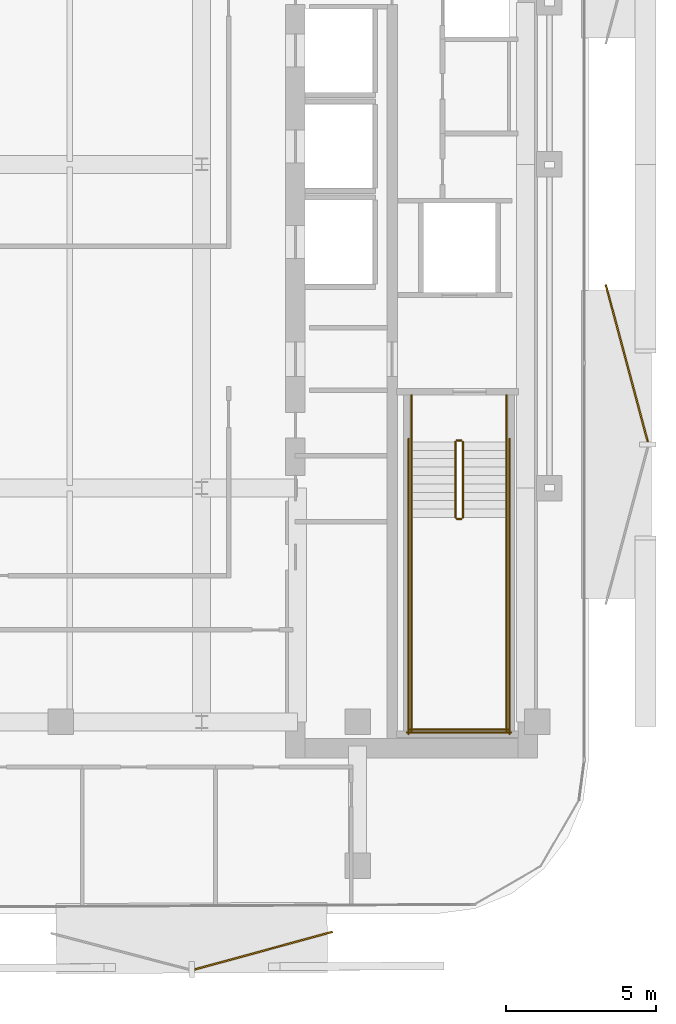
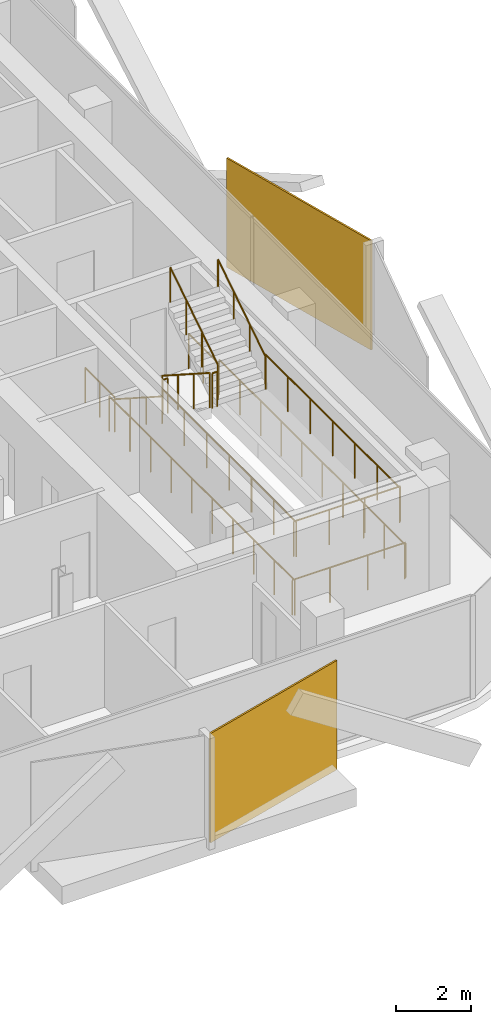
# One storey, part 13 of 14: 14 railings, 2 coverings.
"""IFC4 building model written with IfcOpenShell, lengths in metres."""

from ifc_helpers import new_model, si_unit, direction, frame, origin, origin_2d, place, context, subcontext, project, spatial, rectangle, circle, extrude, material, layer, layer_set, type_object, element, save


model = new_model("IFC4")

# Units and contexts
model_context = context("Model", 3, precision=1e-05, world=origin(), true_north=direction((0.0, 1.0)))
body_context = subcontext(model_context, "Body", "Model", "MODEL_VIEW")
ifc_project = project(units=[si_unit("LENGTHUNIT", "METRE"), si_unit("AREAUNIT", "SQUARE_METRE"), si_unit("VOLUMEUNIT", "CUBIC_METRE"), si_unit("PLANEANGLEUNIT", "RADIAN"), si_unit("MASSUNIT", "GRAM", prefix="KILO")], contexts=[model_context])

# Site, building, storey
site_placement = place(None, origin())
site = spatial("IfcSite", under=ifc_project, at=site_placement, CompositionType="ELEMENT")
building_placement = place(site_placement, origin())
building = spatial("IfcBuilding", under=site, at=building_placement, Name="Khairoan Windgate Tower", CompositionType="ELEMENT")
storey_placement = place(building_placement, frame((0.0, 0.0, 233.199951171875)))
storey = spatial("IfcBuildingStorey", under=building, at=storey_placement, Name="L54", CompositionType="ELEMENT", Elevation=233.199951171875)

# Coverings
ifc_material_1 = material(Name="Anodised Bronze Aluminium 6063-T6", Category="aluminium")
ifc_layer = layer(ifc_material_1, 0.054931640625, Name="Anodised Bronze Aluminium 6063-T6")
ifc_layer_set = layer_set([ifc_layer], Name="Anodised Bronze Aluminium 6063-T6")
covering_type = type_object("IfcCoveringType", Name="Perforated Bronze-Ceramic Folded Solar Screen Cladding BSC-1", PredefinedType="CLADDING", material=ifc_layer_set)
covering_1_placement = place(storey_placement, frame((11.264404296875, -26.226806640625, -0.099853515625), z_axis=(0.0, 0.0, 1.0), x_axis=(-0.964649468762, -0.263536339841, 0.0)))
element("IfcCovering", 1, at=covering_1_placement, inside=storey, type_object=covering_type, Name="L54 Folded Bronze Solar Screen Facet 361L", PredefinedType="CLADDING", context=body_context, shape_type="SweptSolid", body=[
    extrude(rectangle(XDim=4.76708984375, YDim=0.054931640625, at=origin_2d()), origin(), (0.0, 0.0, 1.0), 3.5400390625),
])
covering_2_placement = place(storey_placement, frame((23.378662109375, -6.6376953125, -0.099853515625), z_axis=(0.0, 0.0, 1.0), x_axis=(0.258819045103, -0.965925826289, 0.0)))
element("IfcCovering", 2, at=covering_2_placement, inside=storey, type_object=covering_type, Name="L54 Folded Bronze Solar Screen Facet 368L", PredefinedType="CLADDING", context=body_context, shape_type="SweptSolid", body=[
    extrude(rectangle(XDim=5.419921875, YDim=0.054931640625, at=origin_2d()), origin(), (0.0, 0.0, 1.0), 3.5400390625),
])

# Railings
ifc_material_2 = material(Name="Anodised Bronze Aluminium 6063-T6", Category="aluminium")
railing_type_1 = type_object("IfcRailingType", Name="Stair Wall Handrail SHR-900", PredefinedType="HANDRAIL", material=ifc_material_2)
railing_1_placement = place(storey_placement, frame((16.199951171875, -9.260009765625, 0.179931640625)))
element("IfcRailing", 3, at=railing_1_placement, inside=storey, type_object=railing_type_1, Name="L54 ST1 stair handrail 1", PredefinedType="HANDRAIL", context=body_context, shape_type="SweptSolid", body=[
    extrude(circle(Radius=0.02392578125, at=origin_2d()), frame((0.0, 0.0, 0.8759765625), z_axis=(0.0, -0.841162588446, 0.540782303519), x_axis=(1.0, 0.0, 0.0)), (0.0, 0.0, 1.0), 2.995849609375),
    extrude(circle(Radius=0.02099609375, at=origin_2d()), origin(), (0.0, 0.0, 1.0), 0.851806640625),
    extrude(circle(Radius=0.02099609375, at=origin_2d()), frame((0.0, -0.840087890625, 0.5400390625)), (0.0, 0.0, 1.0), 0.851806640625),
    extrude(circle(Radius=0.02099609375, at=origin_2d()), frame((0.0, -1.679931640625, 1.080078125)), (0.0, 0.0, 1.0), 0.851806640625),
    extrude(circle(Radius=0.02099609375, at=origin_2d()), frame((0.0, -2.52001953125, 1.6201171875)), (0.0, 0.0, 1.0), 0.851806640625),
])
railing_2_placement = place(storey_placement, frame((19.3701171875, -11.780029296875, 1.97998046875)))
element("IfcRailing", 4, at=railing_2_placement, inside=storey, type_object=railing_type_1, Name="L54 ST1 stair handrail 2", PredefinedType="HANDRAIL", context=body_context, shape_type="SweptSolid", body=[
    extrude(circle(Radius=0.02392578125, at=origin_2d()), frame((0.0, 0.0, 0.8759765625), z_axis=(0.0, 0.841162588446, 0.540782303519), x_axis=(-1.0, 0.0, 0.0)), (0.0, 0.0, 1.0), 2.995849609375),
    extrude(circle(Radius=0.02099609375, at=origin_2d()), origin(), (0.0, 0.0, 1.0), 0.851806640625),
    extrude(circle(Radius=0.02099609375, at=origin_2d()), frame((0.0, 0.840087890625, 0.5400390625)), (0.0, 0.0, 1.0), 0.851806640625),
    extrude(circle(Radius=0.02099609375, at=origin_2d()), frame((0.0, 1.679931640625, 1.080078125)), (0.0, 0.0, 1.0), 0.851806640625),
    extrude(circle(Radius=0.02099609375, at=origin_2d()), frame((0.0, 2.52001953125, 1.6201171875)), (0.0, 0.0, 1.0), 0.851806640625),
])
ifc_material_3 = material(Name="Steel S355", Category="steel")
railing_type_2 = type_object("IfcRailingType", Name="Stairwell Safety Guardrail SGR-1150", PredefinedType="GUARDRAIL", material=ifc_material_3)
railing_3_placement = place(storey_placement, frame((17.659912109375, -9.260009765625, 0.179931640625)))
element("IfcRailing", 5, at=railing_3_placement, inside=storey, type_object=railing_type_2, Name="L54 ST1 stair guard 1", PredefinedType="GUARDRAIL", context=body_context, shape_type="SweptSolid", body=[
    extrude(circle(Radius=0.02392578125, at=origin_2d()), frame((0.0, 0.0, 1.1259765625), z_axis=(0.0, -0.841162588446, 0.540782303519), x_axis=(1.0, 0.0, 0.0)), (0.0, 0.0, 1.0), 2.995849609375),
    extrude(circle(Radius=0.02099609375, at=origin_2d()), origin(), (0.0, 0.0, 1.0), 1.101806640625),
    extrude(circle(Radius=0.02099609375, at=origin_2d()), frame((0.0, -0.840087890625, 0.5400390625)), (0.0, 0.0, 1.0), 1.101806640625),
    extrude(circle(Radius=0.02099609375, at=origin_2d()), frame((0.0, -1.679931640625, 1.080078125)), (0.0, 0.0, 1.0), 1.101806640625),
    extrude(circle(Radius=0.02099609375, at=origin_2d()), frame((0.0, -2.52001953125, 1.6201171875)), (0.0, 0.0, 1.0), 1.101806640625),
])
railing_4_placement = place(storey_placement, frame((17.7099609375, -11.830078125, 1.800048828125)))
element("IfcRailing", 6, at=railing_4_placement, inside=storey, type_object=railing_type_2, Name="L54 ST1 stair guard 2", PredefinedType="GUARDRAIL", context=body_context, shape_type="SweptSolid", body=[
    extrude(circle(Radius=0.02392578125, at=origin_2d()), frame((0.0, 0.0, 1.1259765625), z_axis=(1.0, 0.0, 0.0), x_axis=(0.0, 1.0, 0.0)), (0.0, 0.0, 1.0), 0.150146484375),
    extrude(circle(Radius=0.02099609375, at=origin_2d()), origin(), (0.0, 0.0, 1.0), 1.101806640625),
    extrude(circle(Radius=0.02099609375, at=origin_2d()), frame((0.150146484375, 0.0, 0.0)), (0.0, 0.0, 1.0), 1.101806640625),
])
for number, where, name in (
    (7, (16.199951171875, -11.780029296875, 1.800048828125), "L54 ST1 stair guard 3"),
    (8, (19.3701171875, -11.780029296875, 1.800048828125), "L54 ST1 stair guard 4"),
):
    element("IfcRailing", number, at=place(storey_placement, frame(where)), inside=storey, type_object=railing_type_2, Name=name, PredefinedType="GUARDRAIL", context=body_context, shape_type="SweptSolid", body=[
        extrude(circle(Radius=0.02392578125, at=origin_2d()), frame((0.0, 0.0, 1.1259765625), z_axis=(0.0, -1.0, 0.0), x_axis=(1.0, 0.0, 0.0)), (0.0, 0.0, 1.0), 7.119873046875),
        extrude(circle(Radius=0.02099609375, at=origin_2d()), origin(), (0.0, 0.0, 1.0), 1.101806640625),
        extrude(circle(Radius=0.02099609375, at=origin_2d()), frame((0.0, -1.1865234375, 0.0)), (0.0, 0.0, 1.0), 1.101806640625),
        extrude(circle(Radius=0.02099609375, at=origin_2d()), frame((0.0, -2.373291015625, 0.0)), (0.0, 0.0, 1.0), 1.101806640625),
        extrude(circle(Radius=0.02099609375, at=origin_2d()), frame((0.0, -3.56005859375, 0.0)), (0.0, 0.0, 1.0), 1.101806640625),
        extrude(circle(Radius=0.02099609375, at=origin_2d()), frame((0.0, -4.74658203125, 0.0)), (0.0, 0.0, 1.0), 1.101806640625),
        extrude(circle(Radius=0.02099609375, at=origin_2d()), frame((0.0, -5.93310546875, 0.0)), (0.0, 0.0, 1.0), 1.101806640625),
        extrude(circle(Radius=0.02099609375, at=origin_2d()), frame((0.0, -7.119873046875, 0.0)), (0.0, 0.0, 1.0), 1.101806640625),
    ])
railing_5_placement = place(storey_placement, frame((16.14990234375, -18.85009765625, 1.800048828125)))
element("IfcRailing", 9, at=railing_5_placement, inside=storey, type_object=railing_type_2, Name="L54 ST1 stair guard 5", PredefinedType="GUARDRAIL", context=body_context, shape_type="SweptSolid", body=[
    extrude(circle(Radius=0.02392578125, at=origin_2d()), frame((0.0, 0.0, 1.1259765625), z_axis=(1.0, 0.0, 0.0), x_axis=(0.0, 1.0, 0.0)), (0.0, 0.0, 1.0), 3.27001953125),
    extrude(circle(Radius=0.02099609375, at=origin_2d()), origin(), (0.0, 0.0, 1.0), 1.101806640625),
    extrude(circle(Radius=0.02099609375, at=origin_2d()), frame((1.090087890625, 0.0, 0.0)), (0.0, 0.0, 1.0), 1.101806640625),
    extrude(circle(Radius=0.02099609375, at=origin_2d()), frame((2.179931640625, 0.0, 0.0)), (0.0, 0.0, 1.0), 1.101806640625),
    extrude(circle(Radius=0.02099609375, at=origin_2d()), frame((3.27001953125, 0.0, 0.0)), (0.0, 0.0, 1.0), 1.101806640625),
])
railing_6_placement = place(storey_placement, frame((17.909912109375, -11.780029296875, 1.97998046875)))
element("IfcRailing", 10, at=railing_6_placement, inside=storey, type_object=railing_type_2, Name="L54 ST1 stair guard 6", PredefinedType="GUARDRAIL", context=body_context, shape_type="SweptSolid", body=[
    extrude(circle(Radius=0.02392578125, at=origin_2d()), frame((0.0, 0.0, 1.1259765625), z_axis=(0.0, 0.841162588446, 0.540782303519), x_axis=(-1.0, 0.0, 0.0)), (0.0, 0.0, 1.0), 2.995849609375),
    extrude(circle(Radius=0.02099609375, at=origin_2d()), origin(), (0.0, 0.0, 1.0), 1.101806640625),
    extrude(circle(Radius=0.02099609375, at=origin_2d()), frame((0.0, 0.840087890625, 0.5400390625)), (0.0, 0.0, 1.0), 1.101806640625),
    extrude(circle(Radius=0.02099609375, at=origin_2d()), frame((0.0, 1.679931640625, 1.080078125)), (0.0, 0.0, 1.0), 1.101806640625),
    extrude(circle(Radius=0.02099609375, at=origin_2d()), frame((0.0, 2.52001953125, 1.6201171875)), (0.0, 0.0, 1.0), 1.101806640625),
])
railing_7_placement = place(storey_placement, frame((17.7099609375, -9.2099609375, 0.0)))
element("IfcRailing", 11, at=railing_7_placement, inside=storey, type_object=railing_type_2, Name="L54 ST1 stair guard 7", PredefinedType="GUARDRAIL", context=body_context, shape_type="SweptSolid", body=[
    extrude(circle(Radius=0.02392578125, at=origin_2d()), frame((0.0, 0.0, 1.1259765625), z_axis=(1.0, 0.0, 0.0), x_axis=(0.0, 1.0, 0.0)), (0.0, 0.0, 1.0), 0.150146484375),
    extrude(circle(Radius=0.02099609375, at=origin_2d()), origin(), (0.0, 0.0, 1.0), 1.101806640625),
    extrude(circle(Radius=0.02099609375, at=origin_2d()), frame((0.150146484375, 0.0, 0.0)), (0.0, 0.0, 1.0), 1.101806640625),
])
for number, where, name in (
    (12, (16.199951171875, -7.699951171875, 0.0), "L54 ST1 stair guard 8"),
    (13, (19.3701171875, -7.699951171875, 0.0), "L54 ST1 stair guard 9"),
):
    element("IfcRailing", number, at=place(storey_placement, frame(where)), inside=storey, type_object=railing_type_2, Name=name, PredefinedType="GUARDRAIL", context=body_context, shape_type="SweptSolid", body=[
        extrude(circle(Radius=0.02392578125, at=origin_2d()), frame((0.0, 0.0, 1.1259765625), z_axis=(0.0, -1.0, 0.0), x_axis=(1.0, 0.0, 0.0)), (0.0, 0.0, 1.0), 1.56005859375),
        extrude(circle(Radius=0.02099609375, at=origin_2d()), origin(), (0.0, 0.0, 1.0), 1.101806640625),
        extrude(circle(Radius=0.02099609375, at=origin_2d()), frame((0.0, -0.780029296875, 0.0)), (0.0, 0.0, 1.0), 1.101806640625),
        extrude(circle(Radius=0.02099609375, at=origin_2d()), frame((0.0, -1.56005859375, 0.0)), (0.0, 0.0, 1.0), 1.101806640625),
    ])
for number, where, name in (
    (14, (16.10009765625, -9.159912109375, 0.0), "L54 ST1 stair guard 10"),
    (15, (19.469970703125, -9.159912109375, 0.0), "L54 ST1 stair guard 11"),
):
    element("IfcRailing", number, at=place(storey_placement, frame(where)), inside=storey, type_object=railing_type_2, Name=name, PredefinedType="GUARDRAIL", context=body_context, shape_type="SweptSolid", body=[
        extrude(circle(Radius=0.02392578125, at=origin_2d()), frame((0.0, 0.0, 1.1259765625), z_axis=(0.0, -1.0, 0.0), x_axis=(1.0, 0.0, 0.0)), (0.0, 0.0, 1.0), 9.840087890625),
        extrude(circle(Radius=0.02099609375, at=origin_2d()), origin(), (0.0, 0.0, 1.0), 1.101806640625),
        extrude(circle(Radius=0.02099609375, at=origin_2d()), frame((0.0, -1.09326171875, 0.0)), (0.0, 0.0, 1.0), 1.101806640625),
        extrude(circle(Radius=0.02099609375, at=origin_2d()), frame((0.0, -2.186767578125, 0.0)), (0.0, 0.0, 1.0), 1.101806640625),
        extrude(circle(Radius=0.02099609375, at=origin_2d()), frame((0.0, -3.280029296875, 0.0)), (0.0, 0.0, 1.0), 1.101806640625),
        extrude(circle(Radius=0.02099609375, at=origin_2d()), frame((0.0, -4.373291015625, 0.0)), (0.0, 0.0, 1.0), 1.101806640625),
        extrude(circle(Radius=0.02099609375, at=origin_2d()), frame((0.0, -5.466796875, 0.0)), (0.0, 0.0, 1.0), 1.101806640625),
        extrude(circle(Radius=0.02099609375, at=origin_2d()), frame((0.0, -6.56005859375, 0.0)), (0.0, 0.0, 1.0), 1.101806640625),
        extrude(circle(Radius=0.02099609375, at=origin_2d()), frame((0.0, -7.6533203125, 0.0)), (0.0, 0.0, 1.0), 1.101806640625),
        extrude(circle(Radius=0.02099609375, at=origin_2d()), frame((0.0, -8.746826171875, 0.0)), (0.0, 0.0, 1.0), 1.101806640625),
        extrude(circle(Radius=0.02099609375, at=origin_2d()), frame((0.0, -9.840087890625, 0.0)), (0.0, 0.0, 1.0), 1.101806640625),
    ])
railing_8_placement = place(storey_placement, frame((16.050048828125, -18.949951171875, 0.0)))
element("IfcRailing", 16, at=railing_8_placement, inside=storey, type_object=railing_type_2, Name="L54 ST1 stair guard 12", PredefinedType="GUARDRAIL", context=body_context, shape_type="SweptSolid", body=[
    extrude(circle(Radius=0.02392578125, at=origin_2d()), frame((0.0, 0.0, 1.1259765625), z_axis=(1.0, 0.0, 0.0), x_axis=(0.0, 1.0, 0.0)), (0.0, 0.0, 1.0), 3.469970703125),
    extrude(circle(Radius=0.02099609375, at=origin_2d()), origin(), (0.0, 0.0, 1.0), 1.101806640625),
    extrude(circle(Radius=0.02099609375, at=origin_2d()), frame((1.15673828125, 0.0, 0.0)), (0.0, 0.0, 1.0), 1.101806640625),
    extrude(circle(Radius=0.02099609375, at=origin_2d()), frame((2.313232421875, 0.0, 0.0)), (0.0, 0.0, 1.0), 1.101806640625),
    extrude(circle(Radius=0.02099609375, at=origin_2d()), frame((3.469970703125, 0.0, 0.0)), (0.0, 0.0, 1.0), 1.101806640625),
])

save(model, "model.ifc")
